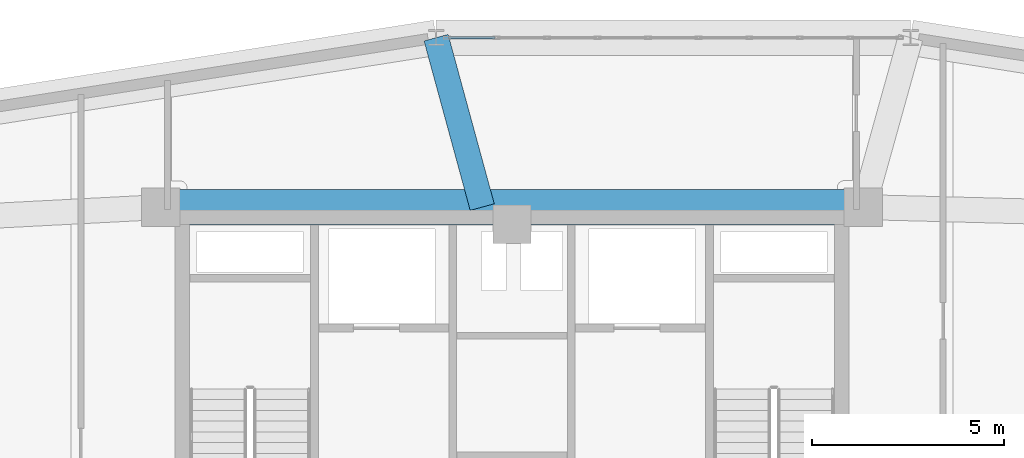
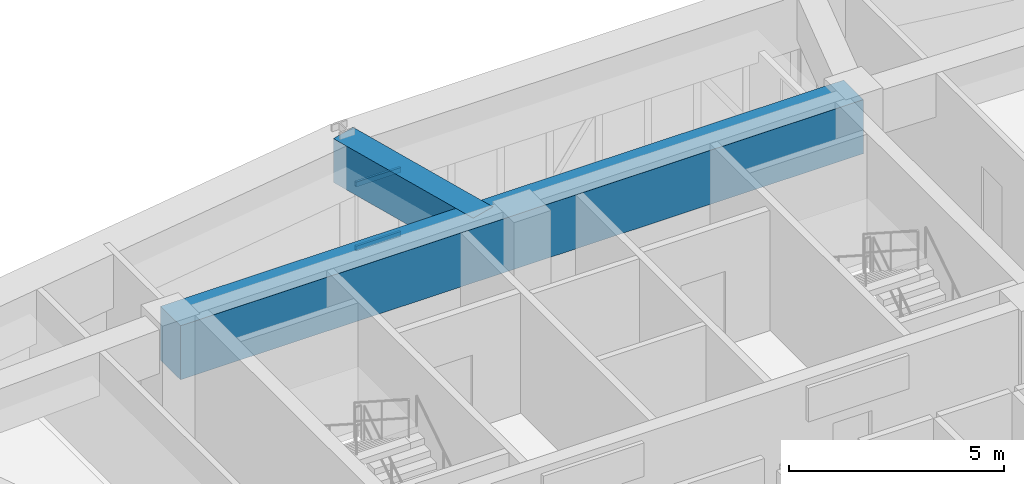
# One storey, part 9 of 16: 2 beams, 2 members, 1 element without a shape of its own.
"""IFC4 building model written with IfcOpenShell, lengths in metres."""

from ifc_helpers import new_model, si_unit, derived_unit, direction, frame, origin, origin_2d, place, context, subcontext, project, spatial, rectangle, hollow_rectangle, extrude, source, transform, mapped, material, layer, layer_set, material_profile, profile_set, type_object, element, aggregate, save


model = new_model("IFC4")

# Units and contexts
model_context = context("Model", 3, precision=1e-05, world=origin(), true_north=direction((0.0, 1.0)))
body_context = subcontext(model_context, "Body", "Model", "MODEL_VIEW")
ifc_project = project(units=[si_unit("LENGTHUNIT", "METRE"), si_unit("AREAUNIT", "SQUARE_METRE"), si_unit("VOLUMEUNIT", "CUBIC_METRE"), si_unit("PLANEANGLEUNIT", "RADIAN"), si_unit("MASSUNIT", "GRAM", prefix="KILO"), derived_unit("THERMALTRANSMITTANCEUNIT", [(si_unit("POWERUNIT", "WATT"), 1), (si_unit("LENGTHUNIT", "METRE"), -2), (si_unit("THERMODYNAMICTEMPERATUREUNIT", "KELVIN"), -1)])], contexts=[model_context])

# Site, building, storey
site_placement = place(None, origin())
site = spatial("IfcSite", under=ifc_project, at=site_placement, CompositionType="ELEMENT")
building_placement = place(site_placement, origin())
building = spatial("IfcBuilding", under=site, at=building_placement, Name="Korsvarv Bourse and Concert Hall", CompositionType="ELEMENT")
storey_placement = place(building_placement, frame((0.0, 0.0, 213.0)))
storey = spatial("IfcBuildingStorey", under=building, at=storey_placement, Name="L55", CompositionType="ELEMENT", Elevation=213.0)

# Beams
ifc_material_1 = material(Name="Concrete C50/60", Category="concrete")
ifc_material_profile_1 = material_profile(ifc_material_1, rectangle(XDim=0.919921875, YDim=1.530029296875, at=origin_2d()), Name="RC-BM 920x1530")
ifc_profile_set_1 = profile_set([ifc_material_profile_1], Name="Concrete C50/60")
beam_type_1 = type_object("IfcBeamType", Name="BM-TR-154", PredefinedType="BEAM", material=ifc_profile_set_1)
shared_shape_1 = source(origin(), body_context, "Body", "SweptSolid", [
    extrude(rectangle(XDim=0.919921875, YDim=1.530029296875, at=origin_2d()), origin(), (0.0, 0.0, 1.0), 18.2998046875),
])
beam_1_placement = place(storey_placement, frame((26.85009765625, 47.25, 2.64501953125), z_axis=(1.0, 0.0, 0.0), x_axis=(0.0, 1.0, 0.0)))
element("IfcBeam", 1, at=beam_1_placement, inside=storey, type_object=beam_type_1, Name="L55 beam B-TR6", PredefinedType="BEAM", context=body_context, shape_type="MappedRepresentation", body=[
    mapped(shared_shape_1, transform((0.0, 0.0, 0.0), scale=1.0)),
])
ifc_material_profile_2 = material_profile(ifc_material_1, rectangle(XDim=0.64990234375, YDim=1.239990234375, at=origin_2d()), Name="RC-BM 650x1240")
ifc_profile_set_2 = profile_set([ifc_material_profile_2], Name="Concrete C50/60")
beam_type_2 = type_object("IfcBeamType", Name="BM-TR-SPN", PredefinedType="BEAM", material=ifc_profile_set_2)
shared_shape_2 = source(origin(), body_context, "Body", "SweptSolid", [
    extrude(rectangle(XDim=0.64990234375, YDim=1.239990234375, at=origin_2d()), origin(), (0.0, 0.0, 1.0), 4.572509765625),
])
beam_2_placement = place(storey_placement, frame((34.023193359375, 51.66162109375, 2.7900390625), z_axis=(0.262859871864, -0.964834020837, 0.0), x_axis=(0.964834020837, 0.262859871864, 0.0)))
element("IfcBeam", 2, at=beam_2_placement, inside=storey, type_object=beam_type_2, Name="L55 beam B-TRS", PredefinedType="BEAM", context=body_context, shape_type="MappedRepresentation", body=[
    mapped(shared_shape_2, transform((0.0, 0.0, 0.0), scale=1.0)),
])

# Curtain wall, members
ifc_material_2 = material(Name="Anodised aluminium and triple low-E glazing", Category="glass")
ifc_layer = layer(ifc_material_2, 0.199951171875)
ifc_layer_set = layer_set([ifc_layer], Name="Anodised aluminium and triple low-E glazing")
curtain_wall_type = type_object("IfcCurtainWallType", Name="CW-SYS-3", PredefinedType="NOTDEFINED", material=ifc_layer_set)
curtain_wall_placement = place(storey_placement, origin())
curtain_wall = element("IfcCurtainWall", 3, at=curtain_wall_placement, inside=storey, type_object=curtain_wall_type, Name="L55 CW3 curtain wall CW-L55-F03", PredefinedType="NOTDEFINED")
ifc_material_3 = material(Name="Extruded aluminium EN AW-6063 T66", Category="aluminium")
ifc_material_profile_3 = material_profile(ifc_material_3, hollow_rectangle(XDim=0.06494140625, YDim=0.139892578125, WallThickness=0.00390625, at=origin_2d()), Name="ALU-T 65x140")
ifc_profile_set_3 = profile_set([ifc_material_profile_3], Name="Extruded aluminium EN AW-6063 T66")
member_type = type_object("IfcMemberType", Name="CWT-140", PredefinedType="USERDEFINED", material=ifc_profile_set_3)
shared_shape_3 = source(origin(), body_context, "Body", "SweptSolid", [
    extrude(hollow_rectangle(XDim=0.06494140625, YDim=0.139892578125, WallThickness=0.00390625, at=origin_2d()), origin(), (0.0, 0.0, 1.0), 1.21142578125),
])
member_1_placement = place(storey_placement, frame((35.5576171875, 51.66162109375, 0.032470703125), z_axis=(-1.0, 0.0, 0.0), x_axis=(0.0, -1.0, 0.0)))
member_1 = element("IfcMember", 4, at=member_1_placement, type_object=member_type, Name="CW3 transom 9.1", ObjectType="TRANSOM", PredefinedType="USERDEFINED", context=body_context, shape_type="MappedRepresentation", body=[
    mapped(shared_shape_3, transform((0.0, 0.0, 0.0), scale=1.0)),
])
member_2_placement = place(storey_placement, frame((35.5576171875, 51.66162109375, 1.847412109375), z_axis=(-1.0, 0.0, 0.0), x_axis=(0.0, -1.0, 0.0)))
member_2 = element("IfcMember", 5, at=member_2_placement, type_object=member_type, Name="CW3 transom 9.2", ObjectType="TRANSOM", PredefinedType="USERDEFINED", context=body_context, shape_type="MappedRepresentation", body=[
    mapped(shared_shape_3, transform((0.0, 0.0, 0.0), scale=1.0)),
])
aggregate(curtain_wall, [member_1, member_2])

save(model, "model.ifc")
